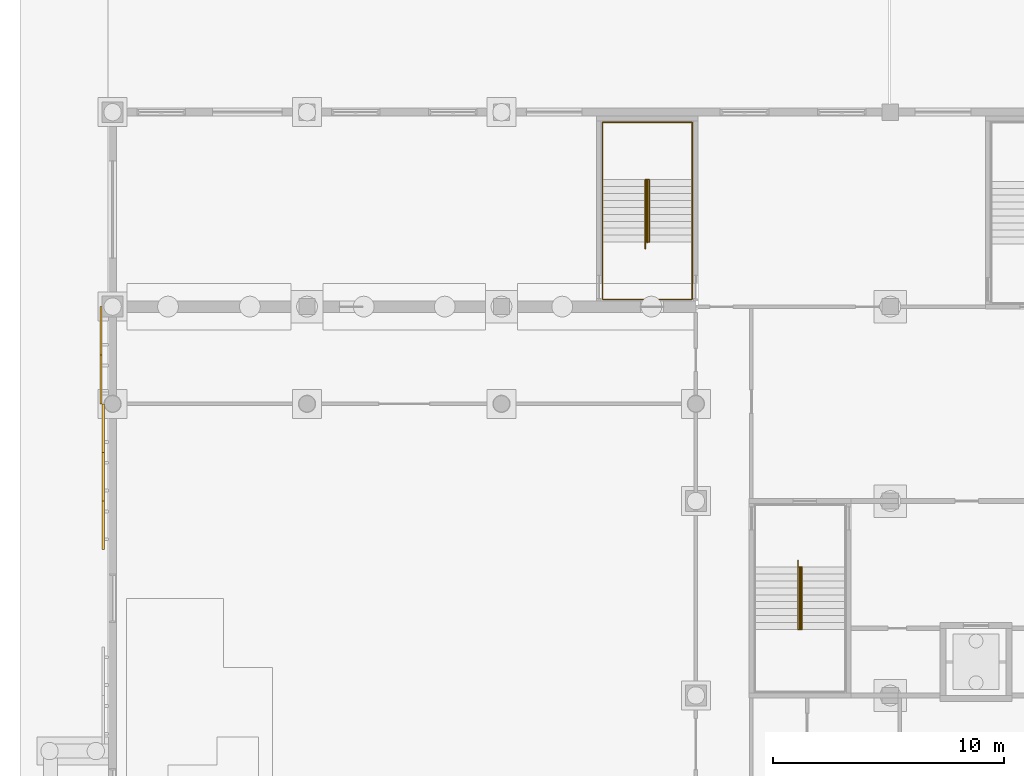
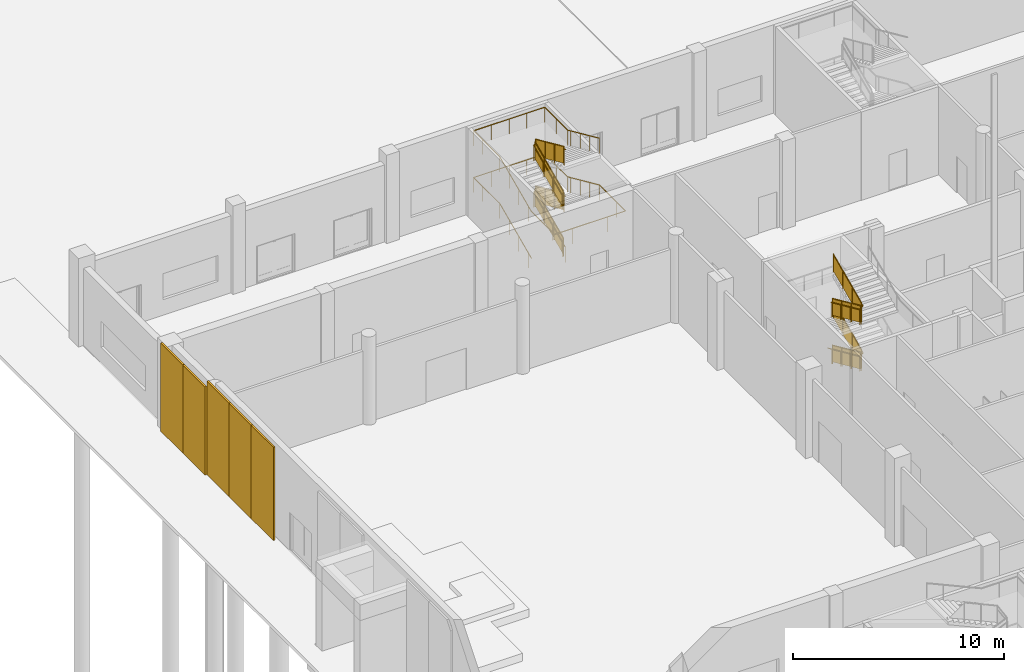
# One storey, part 61 of 74: 11 railings, 5 shading devices.
"""IFC4 building model written with IfcOpenShell, lengths in metres."""

import ifcopenshell
import ifcopenshell.guid

model = None  # the IFC model being written
_history = None  # IfcOwnerHistory: only IFC2X3 demands one
_inside = {}  # id of a spatial element -> (the spatial element, [elements in it])
_under = {}  # id of a project, library or spatial element -> (it, [spatial elements below it])
_declared = {}  # id of a project -> (the project, [libraries it declares])
_typed = {}  # id of a type object -> (the type object, [elements of that type])
_made_of = {}  # id of a material, layer set ... -> (it, [elements and type objects made of it])


def new_model(schema):
    """Start an empty IFC model of exactly this schema.

    Asked for "IFC4X3", IfcOpenShell would pick the latest addendum, in which some entities
    have other attributes; the version numbers below select the first issue.
    IFC2X3 requires an IfcOwnerHistory on every rooted entity: one is made here for all.
    """
    global model, _history
    if schema == "IFC4X3":
        model = ifcopenshell.file(schema_version=(4, 3, 0, 0))
    else:
        model = ifcopenshell.file(schema=schema)
    _inside.clear()
    _under.clear()
    _declared.clear()
    _typed.clear()
    _made_of.clear()
    _history = None
    if model.schema == "IFC2X3":
        org = make("IfcOrganization", Name="unknown")
        user = make(
            "IfcPersonAndOrganization",
            ThePerson=make("IfcPerson", FamilyName="unknown"),
            TheOrganization=org,
        )
        app = make(
            "IfcApplication",
            ApplicationDeveloper=org,
            Version="unknown",
            ApplicationFullName="unknown",
            ApplicationIdentifier="unknown",
        )
        _history = make(
            "IfcOwnerHistory",
            OwningUser=user,
            OwningApplication=app,
            ChangeAction="ADDED",
            CreationDate=0,
        )
    return model


def make(cls, **values):
    """One entity of the class cls with the attributes given. An attribute that is None is left unset."""
    return model.create_entity(
        cls, **{name: value for name, value in values.items() if value is not None}
    )


def rooted(cls, **values):
    """An entity with a GlobalId (a new one), such as an element, a storey or a relation."""
    return make(cls, GlobalId=ifcopenshell.guid.new(), OwnerHistory=_history, **values)


def si_unit(unit_type, name, prefix=None):
    """IfcSIUnit, for example si_unit("LENGTHUNIT", "METRE", prefix="MILLI")."""
    return make("IfcSIUnit", UnitType=unit_type, Prefix=prefix, Name=name)


def assignment(units):
    """IfcUnitAssignment: the units of a project."""
    return None if units is None else make("IfcUnitAssignment", Units=units)


def point(xyz):
    """IfcCartesianPoint."""
    return None if xyz is None else make("IfcCartesianPoint", Coordinates=xyz)


def direction(xyz):
    """IfcDirection."""
    return None if xyz is None else make("IfcDirection", DirectionRatios=xyz)


def frame(location, z_axis=None, x_axis=None):
    """IfcAxis2Placement3D, a coordinate frame: its origin and axes. An axis left out is left unset."""
    return make(
        "IfcAxis2Placement3D",
        Location=point(location),
        Axis=direction(z_axis),
        RefDirection=direction(x_axis),
    )


def frame_2d(location, x_axis=None):
    """IfcAxis2Placement2D, a coordinate frame in the plane: its origin and x axis."""
    return make(
        "IfcAxis2Placement2D", Location=point(location), RefDirection=direction(x_axis)
    )


def origin():
    """The frame at (0, 0, 0) with its axes left unset."""
    return frame((0.0, 0.0, 0.0))


def origin_2d():
    """The frame at (0, 0) in the plane with its x axis left unset."""
    return frame_2d((0.0, 0.0))


def place(relative_to, where):
    """IfcLocalPlacement: puts the frame where relative to a parent placement (None: the world)."""
    return make(
        "IfcLocalPlacement", PlacementRelTo=relative_to, RelativePlacement=where
    )


def context(
    kind, dimensions, precision=None, world=None, true_north=None, identifier=None
):
    """IfcGeometricRepresentationContext, for example the 3D "Model" context."""
    return make(
        "IfcGeometricRepresentationContext",
        ContextIdentifier=identifier,
        ContextType=kind,
        CoordinateSpaceDimension=dimensions,
        Precision=precision,
        WorldCoordinateSystem=world,
        TrueNorth=true_north,
    )


def subcontext(parent, identifier, kind, view, scale=None):
    """IfcGeometricRepresentationSubContext, for example "Body" below "Model"."""
    return make(
        "IfcGeometricRepresentationSubContext",
        ContextIdentifier=identifier,
        ContextType=kind,
        ParentContext=parent,
        TargetScale=scale,
        TargetView=view,
    )


def project(units=None, contexts=None):
    """IfcProject with its units and contexts."""
    return rooted(
        "IfcProject",
        Name="project",
        RepresentationContexts=contexts,
        UnitsInContext=assignment(units),
    )


def spatial(cls, under=None, at=None, **own):
    """A site, building, storey or space (cls), placed at a placement, below another one or the project."""
    s = rooted(cls, ObjectPlacement=at, **own)
    if under is not None:
        _under.setdefault(under.id(), (under, []))[1].append(s)
    return s


def polyline(points):
    """IfcPolyline through the points."""
    return make("IfcPolyline", Points=[point(p) for p in points])


def profile(cls, at=None, kind="AREA", **sizes):
    """A parametric profile (cls). Its sizes go by their IFC names, for example OverallWidth=200.0."""
    return make(cls, ProfileType=kind, Position=at, **sizes)


def rectangle(**sizes):
    """IfcRectangleProfileDef."""
    return profile("IfcRectangleProfileDef", **sizes)


def circle(**sizes):
    """IfcCircleProfileDef."""
    return profile("IfcCircleProfileDef", **sizes)


def outline(outer, holes=None, kind="AREA"):
    """IfcArbitraryClosedProfileDef: a profile drawn as a closed curve; with holes, ...WithVoids."""
    if holes is None:
        return make("IfcArbitraryClosedProfileDef", ProfileType=kind, OuterCurve=outer)
    return make(
        "IfcArbitraryProfileDefWithVoids",
        ProfileType=kind,
        OuterCurve=outer,
        InnerCurves=holes,
    )


def extrude(swept, where, along, depth):
    """IfcExtrudedAreaSolid: the profile swept, set in the frame where, extruded along a direction by depth."""
    return make(
        "IfcExtrudedAreaSolid",
        SweptArea=swept,
        Position=where,
        ExtrudedDirection=direction(along),
        Depth=depth,
    )


def shape(context_of_items, identifier, shape_type, items):
    """IfcShapeRepresentation: the items that make up one representation, for example the "Body"."""
    return make(
        "IfcShapeRepresentation",
        ContextOfItems=context_of_items,
        RepresentationIdentifier=identifier,
        RepresentationType=shape_type,
        Items=items,
    )


def material(Name=None, Category=None):
    """IfcMaterial."""
    return make("IfcMaterial", Name=Name, Category=Category)


def layer(
    of_material, thickness, ventilated=None, Name=None, Category=None, Priority=None
):
    """IfcMaterialLayer: one layer of a wall or slab, of a material (None: an air gap)."""
    return make(
        "IfcMaterialLayer",
        Material=of_material,
        LayerThickness=thickness,
        IsVentilated=ventilated,
        Name=Name,
        Category=Category,
        Priority=Priority,
    )


def layer_set(layers, Name=None):
    """IfcMaterialLayerSet."""
    return make("IfcMaterialLayerSet", MaterialLayers=layers, LayerSetName=Name)


def made_of(thing, what):
    """Note that an element or type object is made of a material, layer set ...; save() writes the relation."""
    if what is not None:
        _made_of.setdefault(what.id(), (what, []))[1].append(thing)
    return thing


def type_object(cls, material=None, **own):
    """A type object (cls), such as IfcWallType, which elements share."""
    return made_of(rooted(cls, **own), material)


def element(
    cls,
    number,
    at=None,
    inside=None,
    cuts=None,
    type_object=None,
    material=None,
    context=None,
    identifier="Body",
    shape_type=None,
    held_by="IfcProductDefinitionShape",
    body=None,
    shapes=None,
    **own,
):
    """One element of the class cls, such as IfcWall. Its Tag is "e" and its number.

    at: its placement. inside: the storey or other place that contains it. cuts: it is an
    opening in that element (IfcRelVoidsElement). A single representation is given by context,
    identifier, shape_type and body (its items); several are given by shapes. held_by: the class
    of the entity that holds the representations. save() writes the other relations.
    """
    e = rooted(cls, Tag="e%d" % number, ObjectPlacement=at, **own)
    if body is not None:
        shapes = [shape(context, identifier, shape_type, body)]
    if shapes is not None:
        e.Representation = make(held_by, Representations=shapes)
    if inside is not None:
        _inside.setdefault(inside.id(), (inside, []))[1].append(e)
    if cuts is not None:
        rooted(
            "IfcRelVoidsElement", RelatingBuildingElement=cuts, RelatedOpeningElement=e
        )
    if type_object is not None:
        _typed.setdefault(type_object.id(), (type_object, []))[1].append(e)
    return made_of(e, material)


def aggregate(whole, parts):
    """IfcRelAggregates: a whole, such as a stair, and the parts it consists of."""
    return rooted("IfcRelAggregates", RelatingObject=whole, RelatedObjects=parts)


def save(model, path):
    """Write the relations noted so far, then the file.

    IfcRelAggregates (storeys below a building ...), IfcRelContainedInSpatialStructure (elements
    in a storey), IfcRelDefinesByType, IfcRelAssociatesMaterial and IfcRelDeclares: one each for
    every whole, place, type object, material and project.
    """
    for whole, parts in _under.values():
        aggregate(whole, parts)
    for where, things in _inside.values():
        rooted(
            "IfcRelContainedInSpatialStructure",
            RelatedElements=things,
            RelatingStructure=where,
        )
    for kind, things in _typed.values():
        rooted("IfcRelDefinesByType", RelatedObjects=things, RelatingType=kind)
    for what, things in _made_of.values():
        rooted("IfcRelAssociatesMaterial", RelatedObjects=things, RelatingMaterial=what)
    for by, libraries in _declared.values():
        rooted("IfcRelDeclares", RelatingContext=by, RelatedDefinitions=libraries)
    model.write(path)


model = new_model("IFC4")

# Units and contexts
model_context = context("Model", 3, precision=1e-05, world=origin(), true_north=direction((0.0, 1.0)))
body_context = subcontext(model_context, "Body", "Model", "MODEL_VIEW")
ifc_project = project(units=[si_unit("LENGTHUNIT", "METRE"), si_unit("AREAUNIT", "SQUARE_METRE"), si_unit("VOLUMEUNIT", "CUBIC_METRE"), si_unit("PLANEANGLEUNIT", "RADIAN"), si_unit("MASSUNIT", "GRAM", prefix="KILO")], contexts=[model_context])

# Site, building, storey
site_placement = place(None, origin())
site = spatial("IfcSite", under=ifc_project, at=site_placement, CompositionType="ELEMENT")
building_placement = place(site_placement, origin())
building = spatial("IfcBuilding", under=site, at=building_placement, Name="Rulbaag Community and Learning Centre", CompositionType="ELEMENT")
storey_placement = place(building_placement, origin())
storey = spatial("IfcBuildingStorey", under=building, at=storey_placement, Name="L00", CompositionType="ELEMENT", Elevation=0.0)

# Railings
ifc_material_1 = material(Name="Galvanised mild steel", Category="steel")
railing_type_1 = type_object("IfcRailingType", Name="GR-1100 GUARD 1100", PredefinedType="GUARDRAIL", material=ifc_material_1)
railing_1_placement = place(storey_placement, frame((23.080078125, 44.78759765625, 0.135009765625)))
element("IfcRailing", 1, at=railing_1_placement, inside=storey, type_object=railing_type_1, Name="Guard SH0 L00 G", PredefinedType="GUARDRAIL", context=body_context, shape_type="SweptSolid", body=[
    extrude(circle(Radius=0.02490234375, at=origin_2d()), frame((0.0, 0.0, 1.0751953125), z_axis=(0.0, 0.911907618724, 0.410395534713), x_axis=(-1.0, 0.0, 0.0)), (0.0, 0.0, 1.0), 2.960693359375),
    extrude(circle(Radius=0.02001953125, at=origin_2d()), origin(), (0.0, 0.0, 1.0), 1.050048828125),
    extrude(circle(Radius=0.02001953125, at=origin_2d()), frame((0.0, 0.89990234375, 0.405029296875)), (0.0, 0.0, 1.0), 1.050048828125),
    extrude(circle(Radius=0.02001953125, at=origin_2d()), frame((0.0, 1.800048828125, 0.81005859375)), (0.0, 0.0, 1.0), 1.050048828125),
    extrude(circle(Radius=0.02001953125, at=origin_2d()), frame((0.0, 2.699951171875, 1.215087890625)), (0.0, 0.0, 1.0), 1.050048828125),
    extrude(outline(polyline([(0.0, 0.0), (2.699951171875, 1.215087890625), (2.699951171875, 2.1650390625), (0.0, 0.949951171875), (0.0, 0.0)])), frame((-0.0048828125, 0.0, 0.10009765625), z_axis=(1.0, 0.0, 0.0), x_axis=(0.0, 1.0, 0.0)), (0.0, 0.0, 1.0), 0.010009765625),
])
railing_2_placement = place(storey_placement, frame((23.1201171875, 47.487548828125, 1.485107421875)))
element("IfcRailing", 2, at=railing_2_placement, inside=storey, type_object=railing_type_1, Name="Guard SH0 L00 G2", PredefinedType="GUARDRAIL", context=body_context, shape_type="SweptSolid", body=[
    extrude(circle(Radius=0.02490234375, at=origin_2d()), frame((0.0, 0.0, 1.0751953125), z_axis=(0.0, -0.91193847666, 0.410326960834), x_axis=(1.0, 0.0, 0.0)), (0.0, 0.0, 1.0), 2.960693359375),
    extrude(circle(Radius=0.02001953125, at=origin_2d()), origin(), (0.0, 0.0, 1.0), 1.050048828125),
    extrude(circle(Radius=0.02001953125, at=origin_2d()), frame((0.0, -0.89990234375, 0.405029296875)), (0.0, 0.0, 1.0), 1.050048828125),
    extrude(circle(Radius=0.02001953125, at=origin_2d()), frame((0.0, -1.800048828125, 0.809814453125)), (0.0, 0.0, 1.0), 1.050048828125),
    extrude(circle(Radius=0.02001953125, at=origin_2d()), frame((0.0, -2.699951171875, 1.21484375)), (0.0, 0.0, 1.0), 1.050048828125),
    extrude(outline(polyline([(0.0, 0.0), (2.699951171875, 1.21484375), (2.699951171875, 2.164794921875), (0.0, 0.949951171875), (0.0, 0.0)])), frame((0.0048828125, 0.0, 0.10009765625), z_axis=(-1.0, 0.0, 0.0), x_axis=(0.0, -1.0, 0.0)), (0.0, 0.0, 1.0), 0.010009765625),
])
railing_3_placement = place(storey_placement, frame((23.080078125, 44.78759765625, 2.8349609375)))
element("IfcRailing", 3, at=railing_3_placement, inside=storey, type_object=railing_type_1, Name="Guard SH0 L00 G3", PredefinedType="GUARDRAIL", context=body_context, shape_type="SweptSolid", body=[
    extrude(circle(Radius=0.02490234375, at=origin_2d()), frame((0.0, 0.0, 1.0751953125), z_axis=(0.0, 0.911907618724, 0.410395534713), x_axis=(-1.0, 0.0, 0.0)), (0.0, 0.0, 1.0), 2.960693359375),
    extrude(circle(Radius=0.02001953125, at=origin_2d()), origin(), (0.0, 0.0, 1.0), 1.050048828125),
    extrude(circle(Radius=0.02001953125, at=origin_2d()), frame((0.0, 0.89990234375, 0.405029296875)), (0.0, 0.0, 1.0), 1.050048828125),
    extrude(circle(Radius=0.02001953125, at=origin_2d()), frame((0.0, 1.800048828125, 0.81005859375)), (0.0, 0.0, 1.0), 1.050048828125),
    extrude(circle(Radius=0.02001953125, at=origin_2d()), frame((0.0, 2.699951171875, 1.215087890625)), (0.0, 0.0, 1.0), 1.050048828125),
    extrude(outline(polyline([(0.0, 0.0), (2.699951171875, 1.215087890625), (2.699951171875, 2.1650390625), (0.0, 0.949951171875), (0.0, 0.0)])), frame((-0.0048828125, 0.0, 0.10009765625), z_axis=(1.0, 0.0, 0.0), x_axis=(0.0, 1.0, 0.0)), (0.0, 0.0, 1.0), 0.010009765625),
])
railing_4_placement = place(storey_placement, frame((23.1201171875, 47.487548828125, 4.18505859375)))
element("IfcRailing", 4, at=railing_4_placement, inside=storey, type_object=railing_type_1, Name="Guard SH0 L00 G4", PredefinedType="GUARDRAIL", context=body_context, shape_type="SweptSolid", body=[
    extrude(circle(Radius=0.02490234375, at=origin_2d()), frame((0.0, 0.0, 1.0751953125), z_axis=(0.0, -0.91193847666, 0.410326960834), x_axis=(1.0, 0.0, 0.0)), (0.0, 0.0, 1.0), 2.960693359375),
    extrude(circle(Radius=0.02001953125, at=origin_2d()), origin(), (0.0, 0.0, 1.0), 1.050048828125),
    extrude(circle(Radius=0.02001953125, at=origin_2d()), frame((0.0, -0.89990234375, 0.405029296875)), (0.0, 0.0, 1.0), 1.050048828125),
    extrude(circle(Radius=0.02001953125, at=origin_2d()), frame((0.0, -1.800048828125, 0.809814453125)), (0.0, 0.0, 1.0), 1.050048828125),
    extrude(circle(Radius=0.02001953125, at=origin_2d()), frame((0.0, -2.699951171875, 1.21484375)), (0.0, 0.0, 1.0), 1.050048828125),
    extrude(outline(polyline([(0.0, 0.0), (2.699951171875, 1.21484375), (2.699951171875, 2.164794921875), (0.0, 0.949951171875), (0.0, 0.0)])), frame((0.0048828125, 0.0, 0.10009765625), z_axis=(-1.0, 0.0, 0.0), x_axis=(0.0, -1.0, 0.0)), (0.0, 0.0, 1.0), 0.010009765625),
])
railing_5_placement = place(storey_placement, frame((29.679931640625, 30.75, 0.135009765625)))
element("IfcRailing", 5, at=railing_5_placement, inside=storey, type_object=railing_type_1, Name="Guard SH1 L00 G", PredefinedType="GUARDRAIL", context=body_context, shape_type="SweptSolid", body=[
    extrude(circle(Radius=0.02490234375, at=origin_2d()), frame((0.0, 0.0, 1.0751953125), z_axis=(0.0, -0.911907618724, 0.410395534713), x_axis=(1.0, 0.0, 0.0)), (0.0, 0.0, 1.0), 2.960693359375),
    extrude(circle(Radius=0.02001953125, at=origin_2d()), origin(), (0.0, 0.0, 1.0), 1.050048828125),
    extrude(circle(Radius=0.02001953125, at=origin_2d()), frame((0.0, -0.89990234375, 0.405029296875)), (0.0, 0.0, 1.0), 1.050048828125),
    extrude(circle(Radius=0.02001953125, at=origin_2d()), frame((0.0, -1.800048828125, 0.81005859375)), (0.0, 0.0, 1.0), 1.050048828125),
    extrude(circle(Radius=0.02001953125, at=origin_2d()), frame((0.0, -2.699951171875, 1.215087890625)), (0.0, 0.0, 1.0), 1.050048828125),
    extrude(outline(polyline([(0.0, 0.0), (2.699951171875, 1.215087890625), (2.699951171875, 2.1650390625), (0.0, 0.949951171875), (0.0, 0.0)])), frame((0.0048828125, 0.0, 0.10009765625), z_axis=(-1.0, 0.0, 0.0), x_axis=(0.0, -1.0, 0.0)), (0.0, 0.0, 1.0), 0.010009765625),
])
railing_6_placement = place(storey_placement, frame((29.719970703125, 28.050048828125, 1.485107421875)))
element("IfcRailing", 6, at=railing_6_placement, inside=storey, type_object=railing_type_1, Name="Guard SH1 L00 G2", PredefinedType="GUARDRAIL", context=body_context, shape_type="SweptSolid", body=[
    extrude(circle(Radius=0.02490234375, at=origin_2d()), frame((0.0, 0.0, 1.0751953125), z_axis=(0.0, 0.91193847666, 0.410326960834), x_axis=(-1.0, 0.0, 0.0)), (0.0, 0.0, 1.0), 2.960693359375),
    extrude(circle(Radius=0.02001953125, at=origin_2d()), origin(), (0.0, 0.0, 1.0), 1.050048828125),
    extrude(circle(Radius=0.02001953125, at=origin_2d()), frame((0.0, 0.89990234375, 0.405029296875)), (0.0, 0.0, 1.0), 1.050048828125),
    extrude(circle(Radius=0.02001953125, at=origin_2d()), frame((0.0, 1.800048828125, 0.809814453125)), (0.0, 0.0, 1.0), 1.050048828125),
    extrude(circle(Radius=0.02001953125, at=origin_2d()), frame((0.0, 2.699951171875, 1.21484375)), (0.0, 0.0, 1.0), 1.050048828125),
    extrude(outline(polyline([(0.0, 0.0), (2.699951171875, 1.21484375), (2.699951171875, 2.164794921875), (0.0, 0.949951171875), (0.0, 0.0)])), frame((-0.0048828125, 0.0, 0.10009765625), z_axis=(1.0, 0.0, 0.0), x_axis=(0.0, 1.0, 0.0)), (0.0, 0.0, 1.0), 0.010009765625),
])
railing_7_placement = place(storey_placement, frame((29.679931640625, 30.75, 2.8349609375)))
element("IfcRailing", 7, at=railing_7_placement, inside=storey, type_object=railing_type_1, Name="Guard SH1 L00 G3", PredefinedType="GUARDRAIL", context=body_context, shape_type="SweptSolid", body=[
    extrude(circle(Radius=0.02490234375, at=origin_2d()), frame((0.0, 0.0, 1.0751953125), z_axis=(0.0, -0.911907618724, 0.410395534713), x_axis=(1.0, 0.0, 0.0)), (0.0, 0.0, 1.0), 2.960693359375),
    extrude(circle(Radius=0.02001953125, at=origin_2d()), origin(), (0.0, 0.0, 1.0), 1.050048828125),
    extrude(circle(Radius=0.02001953125, at=origin_2d()), frame((0.0, -0.89990234375, 0.405029296875)), (0.0, 0.0, 1.0), 1.050048828125),
    extrude(circle(Radius=0.02001953125, at=origin_2d()), frame((0.0, -1.800048828125, 0.81005859375)), (0.0, 0.0, 1.0), 1.050048828125),
    extrude(circle(Radius=0.02001953125, at=origin_2d()), frame((0.0, -2.699951171875, 1.215087890625)), (0.0, 0.0, 1.0), 1.050048828125),
    extrude(outline(polyline([(0.0, 0.0), (2.699951171875, 1.215087890625), (2.699951171875, 2.1650390625), (0.0, 0.949951171875), (0.0, 0.0)])), frame((0.0048828125, 0.0, 0.10009765625), z_axis=(-1.0, 0.0, 0.0), x_axis=(0.0, -1.0, 0.0)), (0.0, 0.0, 1.0), 0.010009765625),
])
railing_8_placement = place(storey_placement, frame((29.719970703125, 28.050048828125, 4.18505859375)))
element("IfcRailing", 8, at=railing_8_placement, inside=storey, type_object=railing_type_1, Name="Guard SH1 L00 G4", PredefinedType="GUARDRAIL", context=body_context, shape_type="SweptSolid", body=[
    extrude(circle(Radius=0.02490234375, at=origin_2d()), frame((0.0, 0.0, 1.0751953125), z_axis=(0.0, 0.91193847666, 0.410326960834), x_axis=(-1.0, 0.0, 0.0)), (0.0, 0.0, 1.0), 2.960693359375),
    extrude(circle(Radius=0.02001953125, at=origin_2d()), origin(), (0.0, 0.0, 1.0), 1.050048828125),
    extrude(circle(Radius=0.02001953125, at=origin_2d()), frame((0.0, 0.89990234375, 0.405029296875)), (0.0, 0.0, 1.0), 1.050048828125),
    extrude(circle(Radius=0.02001953125, at=origin_2d()), frame((0.0, 1.800048828125, 0.809814453125)), (0.0, 0.0, 1.0), 1.050048828125),
    extrude(circle(Radius=0.02001953125, at=origin_2d()), frame((0.0, 2.699951171875, 1.21484375)), (0.0, 0.0, 1.0), 1.050048828125),
    extrude(outline(polyline([(0.0, 0.0), (2.699951171875, 1.21484375), (2.699951171875, 2.164794921875), (0.0, 0.949951171875), (0.0, 0.0)])), frame((-0.0048828125, 0.0, 0.10009765625), z_axis=(1.0, 0.0, 0.0), x_axis=(0.0, 1.0, 0.0)), (0.0, 0.0, 1.0), 0.010009765625),
])
ifc_material_2 = material(Name="Stainless steel grade 316", Category="steel")
railing_type_2 = type_object("IfcRailingType", Name="HR-900 HANDRAIL 900", PredefinedType="HANDRAIL", material=ifc_material_2)
railing_9_placement = place(storey_placement, frame((21.159912109375, 44.487548828125, 0.0)))
element("IfcRailing", 9, at=railing_9_placement, inside=storey, type_object=railing_type_2, Name="Handrail SH0 L00 O", PredefinedType="HANDRAIL", context=body_context, shape_type="SweptSolid", body=[
    extrude(circle(Radius=0.024169921875, at=origin_2d()), frame((0.0, 0.0, 0.875732421875), z_axis=(0.0, 0.911935388494, 0.410333824115), x_axis=(-1.0, 0.0, 0.0)), (0.0, 0.0, 1.0), 0.3291015625),
    extrude(circle(Radius=0.024169921875, at=origin_2d()), frame((0.0, 0.300048828125, 1.0107421875), z_axis=(0.0, 0.911907618724, 0.410395534713), x_axis=(-1.0, 0.0, 0.0)), (0.0, 0.0, 1.0), 2.960693359375),
    extrude(circle(Radius=0.024169921875, at=origin_2d()), frame((0.0, 3.0, 2.225830078125), z_axis=(0.0, 1.0, 0.0), x_axis=(-1.0, 0.0, 0.0)), (0.0, 0.0, 1.0), 2.4775390625),
    extrude(circle(Radius=0.024169921875, at=origin_2d()), frame((0.0, 5.4775390625, 2.225830078125), z_axis=(1.0, 0.0, 0.0), x_axis=(0.0, 1.0, 0.0)), (0.0, 0.0, 1.0), 3.880126953125),
    extrude(circle(Radius=0.024169921875, at=origin_2d()), frame((3.880126953125, 5.4775390625, 2.225830078125), z_axis=(0.0, -1.0, 0.0), x_axis=(1.0, 0.0, 0.0)), (0.0, 0.0, 1.0), 2.177490234375),
    extrude(circle(Radius=0.024169921875, at=origin_2d()), frame((3.880126953125, 3.300048828125, 2.225830078125), z_axis=(0.0, -0.911935388494, 0.410333824115), x_axis=(1.0, 0.0, 0.0)), (0.0, 0.0, 1.0), 0.3291015625),
    extrude(circle(Radius=0.024169921875, at=origin_2d()), frame((3.880126953125, 3.0, 2.36083984375), z_axis=(0.0, -0.91193847666, 0.410326960834), x_axis=(1.0, 0.0, 0.0)), (0.0, 0.0, 1.0), 2.960693359375),
    extrude(circle(Radius=0.024169921875, at=origin_2d()), frame((3.880126953125, 0.300048828125, 3.57568359375), z_axis=(0.0, -1.0, 0.0), x_axis=(1.0, 0.0, 0.0)), (0.0, 0.0, 1.0), 2.4775390625),
    extrude(circle(Radius=0.024169921875, at=origin_2d()), frame((3.880126953125, -2.177490234375, 3.57568359375), z_axis=(-1.0, 0.0, 0.0), x_axis=(0.0, -1.0, 0.0)), (0.0, 0.0, 1.0), 3.880126953125),
    extrude(circle(Radius=0.024169921875, at=origin_2d()), frame((0.0, -2.177490234375, 3.57568359375), z_axis=(0.0, 1.0, 0.0), x_axis=(-1.0, 0.0, 0.0)), (0.0, 0.0, 1.0), 2.177490234375),
    extrude(circle(Radius=0.024169921875, at=origin_2d()), frame((0.0, 0.0, 3.57568359375), z_axis=(0.0, 0.911935388494, 0.410333824115), x_axis=(-1.0, 0.0, 0.0)), (0.0, 0.0, 1.0), 0.3291015625),
    extrude(circle(Radius=0.024169921875, at=origin_2d()), frame((0.0, 0.300048828125, 3.710693359375), z_axis=(0.0, 0.911907618724, 0.410395534713), x_axis=(-1.0, 0.0, 0.0)), (0.0, 0.0, 1.0), 2.960693359375),
    extrude(circle(Radius=0.024169921875, at=origin_2d()), frame((0.0, 3.0, 4.92578125), z_axis=(0.0, 1.0, 0.0), x_axis=(-1.0, 0.0, 0.0)), (0.0, 0.0, 1.0), 2.4775390625),
    extrude(circle(Radius=0.024169921875, at=origin_2d()), frame((0.0, 5.4775390625, 4.92578125), z_axis=(1.0, 0.0, 0.0), x_axis=(0.0, 1.0, 0.0)), (0.0, 0.0, 1.0), 3.880126953125),
    extrude(circle(Radius=0.024169921875, at=origin_2d()), frame((3.880126953125, 5.4775390625, 4.92578125), z_axis=(0.0, -1.0, 0.0), x_axis=(1.0, 0.0, 0.0)), (0.0, 0.0, 1.0), 2.177490234375),
    extrude(circle(Radius=0.024169921875, at=origin_2d()), frame((3.880126953125, 3.300048828125, 4.92578125), z_axis=(0.0, -0.911935388494, 0.410333824115), x_axis=(1.0, 0.0, 0.0)), (0.0, 0.0, 1.0), 0.3291015625),
    extrude(circle(Radius=0.024169921875, at=origin_2d()), frame((3.880126953125, 3.0, 5.060791015625), z_axis=(0.0, -0.91193847666, 0.410326960834), x_axis=(1.0, 0.0, 0.0)), (0.0, 0.0, 1.0), 2.960693359375),
    extrude(circle(Radius=0.008056640625, at=origin_2d()), origin(), (0.0, 0.0, 1.0), 0.8515625),
    extrude(circle(Radius=0.008056640625, at=origin_2d()), frame((0.0, 0.300048828125, 0.135009765625)), (0.0, 0.0, 1.0), 0.8515625),
    extrude(circle(Radius=0.008056640625, at=origin_2d()), frame((0.0, 1.199951171875, 0.5400390625)), (0.0, 0.0, 1.0), 0.8515625),
    extrude(circle(Radius=0.008056640625, at=origin_2d()), frame((0.0, 2.10009765625, 0.945068359375)), (0.0, 0.0, 1.0), 0.8515625),
    extrude(circle(Radius=0.008056640625, at=origin_2d()), frame((0.0, 3.0, 1.35009765625)), (0.0, 0.0, 1.0), 0.8515625),
    extrude(circle(Radius=0.008056640625, at=origin_2d()), frame((0.0, 3.825927734375, 1.35009765625)), (0.0, 0.0, 1.0), 0.8515625),
    extrude(circle(Radius=0.008056640625, at=origin_2d()), frame((0.0, 4.651611328125, 1.35009765625)), (0.0, 0.0, 1.0), 0.8515625),
    extrude(circle(Radius=0.008056640625, at=origin_2d()), frame((0.0, 5.4775390625, 1.35009765625)), (0.0, 0.0, 1.0), 0.8515625),
    extrude(circle(Radius=0.008056640625, at=origin_2d()), frame((0.969970703125, 5.4775390625, 1.35009765625)), (0.0, 0.0, 1.0), 0.8515625),
    extrude(circle(Radius=0.008056640625, at=origin_2d()), frame((1.93994140625, 5.4775390625, 1.35009765625)), (0.0, 0.0, 1.0), 0.8515625),
    extrude(circle(Radius=0.008056640625, at=origin_2d()), frame((2.91015625, 5.4775390625, 1.35009765625)), (0.0, 0.0, 1.0), 0.8515625),
    extrude(circle(Radius=0.008056640625, at=origin_2d()), frame((3.880126953125, 5.4775390625, 1.35009765625)), (0.0, 0.0, 1.0), 0.8515625),
    extrude(circle(Radius=0.008056640625, at=origin_2d()), frame((3.880126953125, 4.388671875, 1.35009765625)), (0.0, 0.0, 1.0), 0.8515625),
    extrude(circle(Radius=0.008056640625, at=origin_2d()), frame((3.880126953125, 3.300048828125, 1.35009765625)), (0.0, 0.0, 1.0), 0.8515625),
    extrude(circle(Radius=0.008056640625, at=origin_2d()), frame((3.880126953125, 3.0, 1.485107421875)), (0.0, 0.0, 1.0), 0.8515625),
    extrude(circle(Radius=0.008056640625, at=origin_2d()), frame((3.880126953125, 2.10009765625, 1.89013671875)), (0.0, 0.0, 1.0), 0.8515625),
    extrude(circle(Radius=0.008056640625, at=origin_2d()), frame((3.880126953125, 1.199951171875, 2.294921875)), (0.0, 0.0, 1.0), 0.8515625),
    extrude(circle(Radius=0.008056640625, at=origin_2d()), frame((3.880126953125, 0.300048828125, 2.699951171875)), (0.0, 0.0, 1.0), 0.8515625),
    extrude(circle(Radius=0.008056640625, at=origin_2d()), frame((3.880126953125, -0.52587890625, 2.699951171875)), (0.0, 0.0, 1.0), 0.8515625),
    extrude(circle(Radius=0.008056640625, at=origin_2d()), frame((3.880126953125, -1.3515625, 2.699951171875)), (0.0, 0.0, 1.0), 0.8515625),
    extrude(circle(Radius=0.008056640625, at=origin_2d()), frame((3.880126953125, -2.177490234375, 2.699951171875)), (0.0, 0.0, 1.0), 0.8515625),
    extrude(circle(Radius=0.008056640625, at=origin_2d()), frame((2.91015625, -2.177490234375, 2.699951171875)), (0.0, 0.0, 1.0), 0.8515625),
    extrude(circle(Radius=0.008056640625, at=origin_2d()), frame((1.93994140625, -2.177490234375, 2.699951171875)), (0.0, 0.0, 1.0), 0.8515625),
    extrude(circle(Radius=0.008056640625, at=origin_2d()), frame((0.969970703125, -2.177490234375, 2.699951171875)), (0.0, 0.0, 1.0), 0.8515625),
    extrude(circle(Radius=0.008056640625, at=origin_2d()), frame((0.0, -2.177490234375, 2.699951171875)), (0.0, 0.0, 1.0), 0.8515625),
    extrude(circle(Radius=0.008056640625, at=origin_2d()), frame((0.0, -1.0888671875, 2.699951171875)), (0.0, 0.0, 1.0), 0.8515625),
    extrude(circle(Radius=0.008056640625, at=origin_2d()), frame((0.0, 0.0, 2.699951171875)), (0.0, 0.0, 1.0), 0.8515625),
    extrude(circle(Radius=0.008056640625, at=origin_2d()), frame((0.0, 0.300048828125, 2.8349609375)), (0.0, 0.0, 1.0), 0.8515625),
    extrude(circle(Radius=0.008056640625, at=origin_2d()), frame((0.0, 1.199951171875, 3.239990234375)), (0.0, 0.0, 1.0), 0.8515625),
    extrude(circle(Radius=0.008056640625, at=origin_2d()), frame((0.0, 2.10009765625, 3.64501953125)), (0.0, 0.0, 1.0), 0.8515625),
    extrude(circle(Radius=0.008056640625, at=origin_2d()), frame((0.0, 3.0, 4.050048828125)), (0.0, 0.0, 1.0), 0.8515625),
    extrude(circle(Radius=0.008056640625, at=origin_2d()), frame((0.0, 3.825927734375, 4.050048828125)), (0.0, 0.0, 1.0), 0.8515625),
    extrude(circle(Radius=0.008056640625, at=origin_2d()), frame((0.0, 4.651611328125, 4.050048828125)), (0.0, 0.0, 1.0), 0.8515625),
    extrude(circle(Radius=0.008056640625, at=origin_2d()), frame((0.0, 5.4775390625, 4.050048828125)), (0.0, 0.0, 1.0), 0.8515625),
    extrude(circle(Radius=0.008056640625, at=origin_2d()), frame((0.969970703125, 5.4775390625, 4.050048828125)), (0.0, 0.0, 1.0), 0.8515625),
    extrude(circle(Radius=0.008056640625, at=origin_2d()), frame((1.93994140625, 5.4775390625, 4.050048828125)), (0.0, 0.0, 1.0), 0.8515625),
    extrude(circle(Radius=0.008056640625, at=origin_2d()), frame((2.91015625, 5.4775390625, 4.050048828125)), (0.0, 0.0, 1.0), 0.8515625),
    extrude(circle(Radius=0.008056640625, at=origin_2d()), frame((3.880126953125, 5.4775390625, 4.050048828125)), (0.0, 0.0, 1.0), 0.8515625),
    extrude(circle(Radius=0.008056640625, at=origin_2d()), frame((3.880126953125, 4.388671875, 4.050048828125)), (0.0, 0.0, 1.0), 0.8515625),
    extrude(circle(Radius=0.008056640625, at=origin_2d()), frame((3.880126953125, 3.300048828125, 4.050048828125)), (0.0, 0.0, 1.0), 0.8515625),
    extrude(circle(Radius=0.008056640625, at=origin_2d()), frame((3.880126953125, 3.0, 4.18505859375)), (0.0, 0.0, 1.0), 0.8515625),
    extrude(circle(Radius=0.008056640625, at=origin_2d()), frame((3.880126953125, 2.10009765625, 4.590087890625)), (0.0, 0.0, 1.0), 0.8515625),
    extrude(circle(Radius=0.008056640625, at=origin_2d()), frame((3.880126953125, 1.199951171875, 4.994873046875)), (0.0, 0.0, 1.0), 0.8515625),
    extrude(circle(Radius=0.008056640625, at=origin_2d()), frame((3.880126953125, 0.300048828125, 5.39990234375)), (0.0, 0.0, 1.0), 0.8515625),
])
railing_10_placement = place(storey_placement, frame((23.010009765625, 44.487548828125, 0.0)))
element("IfcRailing", 10, at=railing_10_placement, inside=storey, type_object=railing_type_2, Name="Handrail SH0 L00 I", PredefinedType="HANDRAIL", context=body_context, shape_type="SweptSolid", body=[
    extrude(circle(Radius=0.024169921875, at=origin_2d()), frame((0.0, 0.0, 0.875732421875), z_axis=(0.0, 0.911935388494, 0.410333824115), x_axis=(-1.0, 0.0, 0.0)), (0.0, 0.0, 1.0), 0.3291015625),
    extrude(circle(Radius=0.024169921875, at=origin_2d()), frame((0.0, 0.300048828125, 1.0107421875), z_axis=(0.0, 0.911907618724, 0.410395534713), x_axis=(-1.0, 0.0, 0.0)), (0.0, 0.0, 1.0), 2.960693359375),
    extrude(circle(Radius=0.024169921875, at=origin_2d()), frame((0.0, 3.0, 2.225830078125), z_axis=(0.79986974456, 0.0, 0.600173634657), x_axis=(0.0, 1.0, 0.0)), (0.0, 0.0, 1.0), 0.224853515625),
    extrude(circle(Radius=0.024169921875, at=origin_2d()), frame((0.179931640625, 3.0, 2.36083984375), z_axis=(0.0, -0.91193847666, 0.410326960834), x_axis=(1.0, 0.0, 0.0)), (0.0, 0.0, 1.0), 2.960693359375),
    extrude(circle(Radius=0.024169921875, at=origin_2d()), frame((0.179931640625, 0.300048828125, 3.57568359375), z_axis=(-0.79986974456, 0.0, 0.600173634657), x_axis=(0.0, -1.0, 0.0)), (0.0, 0.0, 1.0), 0.224853515625),
    extrude(circle(Radius=0.024169921875, at=origin_2d()), frame((0.0, 0.300048828125, 3.710693359375), z_axis=(0.0, 0.911907618724, 0.410395534713), x_axis=(-1.0, 0.0, 0.0)), (0.0, 0.0, 1.0), 2.960693359375),
    extrude(circle(Radius=0.024169921875, at=origin_2d()), frame((0.0, 3.0, 4.92578125), z_axis=(0.79986974456, 0.0, 0.600173634657), x_axis=(0.0, 1.0, 0.0)), (0.0, 0.0, 1.0), 0.224853515625),
    extrude(circle(Radius=0.024169921875, at=origin_2d()), frame((0.179931640625, 3.0, 5.060791015625), z_axis=(0.0, -0.91193847666, 0.410326960834), x_axis=(1.0, 0.0, 0.0)), (0.0, 0.0, 1.0), 2.960693359375),
    extrude(circle(Radius=0.008056640625, at=origin_2d()), origin(), (0.0, 0.0, 1.0), 0.8515625),
    extrude(circle(Radius=0.008056640625, at=origin_2d()), frame((0.0, 0.300048828125, 0.135009765625)), (0.0, 0.0, 1.0), 0.8515625),
    extrude(circle(Radius=0.008056640625, at=origin_2d()), frame((0.0, 1.199951171875, 0.5400390625)), (0.0, 0.0, 1.0), 0.8515625),
    extrude(circle(Radius=0.008056640625, at=origin_2d()), frame((0.0, 2.10009765625, 0.945068359375)), (0.0, 0.0, 1.0), 0.8515625),
    extrude(circle(Radius=0.008056640625, at=origin_2d()), frame((0.0, 3.0, 1.35009765625)), (0.0, 0.0, 1.0), 0.8515625),
    extrude(circle(Radius=0.008056640625, at=origin_2d()), frame((0.179931640625, 3.0, 1.485107421875)), (0.0, 0.0, 1.0), 0.8515625),
    extrude(circle(Radius=0.008056640625, at=origin_2d()), frame((0.179931640625, 2.10009765625, 1.89013671875)), (0.0, 0.0, 1.0), 0.8515625),
    extrude(circle(Radius=0.008056640625, at=origin_2d()), frame((0.179931640625, 1.199951171875, 2.294921875)), (0.0, 0.0, 1.0), 0.8515625),
    extrude(circle(Radius=0.008056640625, at=origin_2d()), frame((0.179931640625, 0.300048828125, 2.699951171875)), (0.0, 0.0, 1.0), 0.8515625),
    extrude(circle(Radius=0.008056640625, at=origin_2d()), frame((0.0, 0.300048828125, 2.8349609375)), (0.0, 0.0, 1.0), 0.8515625),
    extrude(circle(Radius=0.008056640625, at=origin_2d()), frame((0.0, 1.199951171875, 3.239990234375)), (0.0, 0.0, 1.0), 0.8515625),
    extrude(circle(Radius=0.008056640625, at=origin_2d()), frame((0.0, 2.10009765625, 3.64501953125)), (0.0, 0.0, 1.0), 0.8515625),
    extrude(circle(Radius=0.008056640625, at=origin_2d()), frame((0.0, 3.0, 4.050048828125)), (0.0, 0.0, 1.0), 0.8515625),
    extrude(circle(Radius=0.008056640625, at=origin_2d()), frame((0.179931640625, 3.0, 4.18505859375)), (0.0, 0.0, 1.0), 0.8515625),
    extrude(circle(Radius=0.008056640625, at=origin_2d()), frame((0.179931640625, 2.10009765625, 4.590087890625)), (0.0, 0.0, 1.0), 0.8515625),
    extrude(circle(Radius=0.008056640625, at=origin_2d()), frame((0.179931640625, 1.199951171875, 4.994873046875)), (0.0, 0.0, 1.0), 0.8515625),
    extrude(circle(Radius=0.008056640625, at=origin_2d()), frame((0.179931640625, 0.300048828125, 5.39990234375)), (0.0, 0.0, 1.0), 0.8515625),
])
railing_11_placement = place(storey_placement, frame((29.610107421875, 31.050048828125, 0.0)))
element("IfcRailing", 11, at=railing_11_placement, inside=storey, type_object=railing_type_2, Name="Handrail SH1 L00 I", PredefinedType="HANDRAIL", context=body_context, shape_type="SweptSolid", body=[
    extrude(circle(Radius=0.024169921875, at=origin_2d()), frame((0.0, 0.0, 0.875732421875), z_axis=(0.0, -0.911935388494, 0.410333824115), x_axis=(1.0, 0.0, 0.0)), (0.0, 0.0, 1.0), 0.3291015625),
    extrude(circle(Radius=0.024169921875, at=origin_2d()), frame((0.0, -0.300048828125, 1.0107421875), z_axis=(0.0, -0.911907618724, 0.410395534713), x_axis=(1.0, 0.0, 0.0)), (0.0, 0.0, 1.0), 2.960693359375),
    extrude(circle(Radius=0.024169921875, at=origin_2d()), frame((0.0, -3.0, 2.225830078125), z_axis=(0.79986974456, 0.0, 0.600173634657), x_axis=(0.0, 1.0, 0.0)), (0.0, 0.0, 1.0), 0.224853515625),
    extrude(circle(Radius=0.024169921875, at=origin_2d()), frame((0.179931640625, -3.0, 2.36083984375), z_axis=(0.0, 0.91193847666, 0.410326960834), x_axis=(-1.0, 0.0, 0.0)), (0.0, 0.0, 1.0), 2.960693359375),
    extrude(circle(Radius=0.024169921875, at=origin_2d()), frame((0.179931640625, -0.300048828125, 3.57568359375), z_axis=(-0.79986974456, 0.0, 0.600173634657), x_axis=(0.0, -1.0, 0.0)), (0.0, 0.0, 1.0), 0.224853515625),
    extrude(circle(Radius=0.024169921875, at=origin_2d()), frame((0.0, -0.300048828125, 3.710693359375), z_axis=(0.0, -0.911907618724, 0.410395534713), x_axis=(1.0, 0.0, 0.0)), (0.0, 0.0, 1.0), 2.960693359375),
    extrude(circle(Radius=0.024169921875, at=origin_2d()), frame((0.0, -3.0, 4.92578125), z_axis=(0.79986974456, 0.0, 0.600173634657), x_axis=(0.0, 1.0, 0.0)), (0.0, 0.0, 1.0), 0.224853515625),
    extrude(circle(Radius=0.024169921875, at=origin_2d()), frame((0.179931640625, -3.0, 5.060791015625), z_axis=(0.0, 0.91193847666, 0.410326960834), x_axis=(-1.0, 0.0, 0.0)), (0.0, 0.0, 1.0), 2.960693359375),
    extrude(circle(Radius=0.008056640625, at=origin_2d()), origin(), (0.0, 0.0, 1.0), 0.8515625),
    extrude(circle(Radius=0.008056640625, at=origin_2d()), frame((0.0, -0.300048828125, 0.135009765625)), (0.0, 0.0, 1.0), 0.8515625),
    extrude(circle(Radius=0.008056640625, at=origin_2d()), frame((0.0, -1.199951171875, 0.5400390625)), (0.0, 0.0, 1.0), 0.8515625),
    extrude(circle(Radius=0.008056640625, at=origin_2d()), frame((0.0, -2.10009765625, 0.945068359375)), (0.0, 0.0, 1.0), 0.8515625),
    extrude(circle(Radius=0.008056640625, at=origin_2d()), frame((0.0, -3.0, 1.35009765625)), (0.0, 0.0, 1.0), 0.8515625),
    extrude(circle(Radius=0.008056640625, at=origin_2d()), frame((0.179931640625, -3.0, 1.485107421875)), (0.0, 0.0, 1.0), 0.8515625),
    extrude(circle(Radius=0.008056640625, at=origin_2d()), frame((0.179931640625, -2.10009765625, 1.89013671875)), (0.0, 0.0, 1.0), 0.8515625),
    extrude(circle(Radius=0.008056640625, at=origin_2d()), frame((0.179931640625, -1.199951171875, 2.294921875)), (0.0, 0.0, 1.0), 0.8515625),
    extrude(circle(Radius=0.008056640625, at=origin_2d()), frame((0.179931640625, -0.300048828125, 2.699951171875)), (0.0, 0.0, 1.0), 0.8515625),
    extrude(circle(Radius=0.008056640625, at=origin_2d()), frame((0.0, -0.300048828125, 2.8349609375)), (0.0, 0.0, 1.0), 0.8515625),
    extrude(circle(Radius=0.008056640625, at=origin_2d()), frame((0.0, -1.199951171875, 3.239990234375)), (0.0, 0.0, 1.0), 0.8515625),
    extrude(circle(Radius=0.008056640625, at=origin_2d()), frame((0.0, -2.10009765625, 3.64501953125)), (0.0, 0.0, 1.0), 0.8515625),
    extrude(circle(Radius=0.008056640625, at=origin_2d()), frame((0.0, -3.0, 4.050048828125)), (0.0, 0.0, 1.0), 0.8515625),
    extrude(circle(Radius=0.008056640625, at=origin_2d()), frame((0.179931640625, -3.0, 4.18505859375)), (0.0, 0.0, 1.0), 0.8515625),
    extrude(circle(Radius=0.008056640625, at=origin_2d()), frame((0.179931640625, -2.10009765625, 4.590087890625)), (0.0, 0.0, 1.0), 0.8515625),
    extrude(circle(Radius=0.008056640625, at=origin_2d()), frame((0.179931640625, -1.199951171875, 4.994873046875)), (0.0, 0.0, 1.0), 0.8515625),
    extrude(circle(Radius=0.008056640625, at=origin_2d()), frame((0.179931640625, -0.300048828125, 5.39990234375)), (0.0, 0.0, 1.0), 0.8515625),
])

# Shading devices
ifc_material_3 = material(Name="Concrete M40", Category="concrete")
ifc_layer = layer(ifc_material_3, 0.10009765625)
ifc_layer_set = layer_set([ifc_layer], Name="JS-100")
shading_device_type = type_object("IfcShadingDeviceType", Name="JS-100", PredefinedType="SHUTTER", material=ifc_layer_set)
for number, where, z_axis, x_axis, name in (
    (12, (-0.39990234375, 32.550048828125, 0.0), (0.0, 0.0, 1.0), (1.0, 0.0, 0.0), "Jaali screen"),
    (13, (-0.39990234375, 34.64990234375, 0.0), (0.0, 0.0, 1.0), (1.0, 0.0, 0.0), "Jaali screen"),
    (14, (-0.39990234375, 36.75, 0.0), (0.0, 0.0, 1.0), (1.0, 0.0, 0.0), "Jaali screen"),
):
    element("IfcShadingDevice", number, at=place(storey_placement, frame(where, z_axis=z_axis, x_axis=x_axis)), inside=storey, type_object=shading_device_type, Name=name, PredefinedType="SHUTTER", context=body_context, shape_type="SweptSolid", body=[
        extrude(rectangle(XDim=0.10009765625, YDim=2.10009765625, at=origin_2d()), origin(), (0.0, 0.0, 1.0), 5.39990234375),
    ])
for number, where, z_axis, x_axis, name in (
    (15, (-0.5, 38.85009765625, 0.0), (0.0, 0.0, 1.0), (1.0, 0.0, 0.0), "Jaali screen"),
    (16, (-0.5, 40.949951171875, 0.0), (0.0, 0.0, 1.0), (1.0, 0.0, 0.0), "Jaali screen"),
):
    element("IfcShadingDevice", number, at=place(storey_placement, frame(where, z_axis=z_axis, x_axis=x_axis)), inside=storey, type_object=shading_device_type, Name=name, PredefinedType="SHUTTER", context=body_context, shape_type="SweptSolid", body=[
        extrude(rectangle(XDim=0.10009765625, YDim=2.10009765625, at=origin_2d()), origin(), (0.0, 0.0, 1.0), 5.10009765625),
    ])

save(model, "model.ifc")
